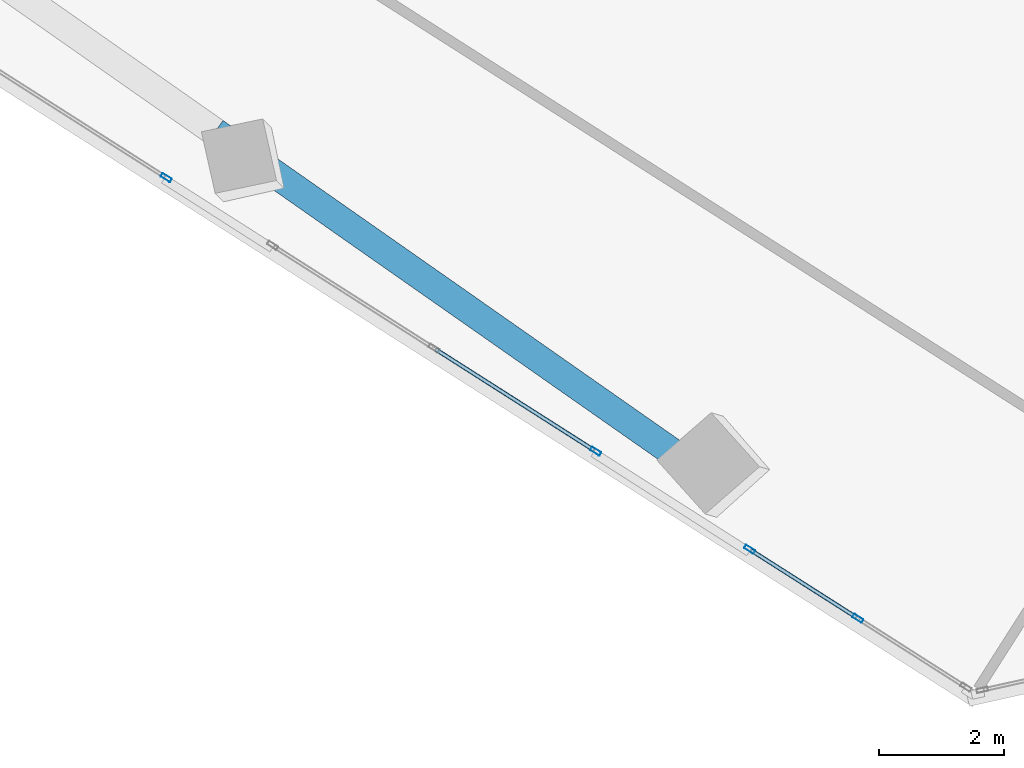
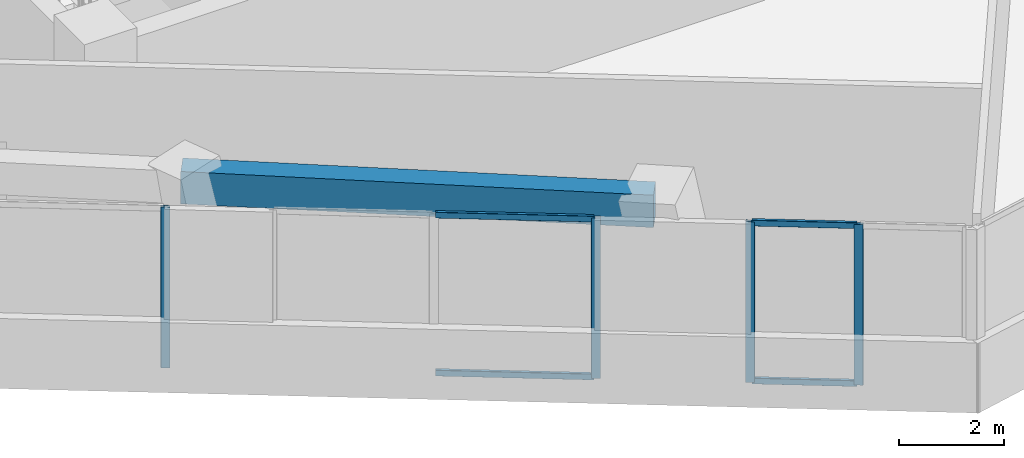
# One storey, part 3 of 24: 8 members, 1 beam, 3 elements without a shape of their own.
"""IFC4 building model written with IfcOpenShell, lengths in metres."""

import ifcopenshell
import ifcopenshell.guid

model = None  # the IFC model being written
_history = None  # IfcOwnerHistory: only IFC2X3 demands one
_inside = {}  # id of a spatial element -> (the spatial element, [elements in it])
_under = {}  # id of a project, library or spatial element -> (it, [spatial elements below it])
_declared = {}  # id of a project -> (the project, [libraries it declares])
_typed = {}  # id of a type object -> (the type object, [elements of that type])
_made_of = {}  # id of a material, layer set ... -> (it, [elements and type objects made of it])


def new_model(schema):
    """Start an empty IFC model of exactly this schema.

    Asked for "IFC4X3", IfcOpenShell would pick the latest addendum, in which some entities
    have other attributes; the version numbers below select the first issue.
    IFC2X3 requires an IfcOwnerHistory on every rooted entity: one is made here for all.
    """
    global model, _history
    if schema == "IFC4X3":
        model = ifcopenshell.file(schema_version=(4, 3, 0, 0))
    else:
        model = ifcopenshell.file(schema=schema)
    _inside.clear()
    _under.clear()
    _declared.clear()
    _typed.clear()
    _made_of.clear()
    _history = None
    if model.schema == "IFC2X3":
        org = make("IfcOrganization", Name="unknown")
        user = make(
            "IfcPersonAndOrganization",
            ThePerson=make("IfcPerson", FamilyName="unknown"),
            TheOrganization=org,
        )
        app = make(
            "IfcApplication",
            ApplicationDeveloper=org,
            Version="unknown",
            ApplicationFullName="unknown",
            ApplicationIdentifier="unknown",
        )
        _history = make(
            "IfcOwnerHistory",
            OwningUser=user,
            OwningApplication=app,
            ChangeAction="ADDED",
            CreationDate=0,
        )
    return model


def make(cls, **values):
    """One entity of the class cls with the attributes given. An attribute that is None is left unset."""
    return model.create_entity(
        cls, **{name: value for name, value in values.items() if value is not None}
    )


def rooted(cls, **values):
    """An entity with a GlobalId (a new one), such as an element, a storey or a relation."""
    return make(cls, GlobalId=ifcopenshell.guid.new(), OwnerHistory=_history, **values)


def si_unit(unit_type, name, prefix=None):
    """IfcSIUnit, for example si_unit("LENGTHUNIT", "METRE", prefix="MILLI")."""
    return make("IfcSIUnit", UnitType=unit_type, Prefix=prefix, Name=name)


def assignment(units):
    """IfcUnitAssignment: the units of a project."""
    return None if units is None else make("IfcUnitAssignment", Units=units)


def point(xyz):
    """IfcCartesianPoint."""
    return None if xyz is None else make("IfcCartesianPoint", Coordinates=xyz)


def direction(xyz):
    """IfcDirection."""
    return None if xyz is None else make("IfcDirection", DirectionRatios=xyz)


def frame(location, z_axis=None, x_axis=None):
    """IfcAxis2Placement3D, a coordinate frame: its origin and axes. An axis left out is left unset."""
    return make(
        "IfcAxis2Placement3D",
        Location=point(location),
        Axis=direction(z_axis),
        RefDirection=direction(x_axis),
    )


def frame_2d(location, x_axis=None):
    """IfcAxis2Placement2D, a coordinate frame in the plane: its origin and x axis."""
    return make(
        "IfcAxis2Placement2D", Location=point(location), RefDirection=direction(x_axis)
    )


def origin():
    """The frame at (0, 0, 0) with its axes left unset."""
    return frame((0.0, 0.0, 0.0))


def origin_2d():
    """The frame at (0, 0) in the plane with its x axis left unset."""
    return frame_2d((0.0, 0.0))


def place(relative_to, where):
    """IfcLocalPlacement: puts the frame where relative to a parent placement (None: the world)."""
    return make(
        "IfcLocalPlacement", PlacementRelTo=relative_to, RelativePlacement=where
    )


def context(
    kind, dimensions, precision=None, world=None, true_north=None, identifier=None
):
    """IfcGeometricRepresentationContext, for example the 3D "Model" context."""
    return make(
        "IfcGeometricRepresentationContext",
        ContextIdentifier=identifier,
        ContextType=kind,
        CoordinateSpaceDimension=dimensions,
        Precision=precision,
        WorldCoordinateSystem=world,
        TrueNorth=true_north,
    )


def subcontext(parent, identifier, kind, view, scale=None):
    """IfcGeometricRepresentationSubContext, for example "Body" below "Model"."""
    return make(
        "IfcGeometricRepresentationSubContext",
        ContextIdentifier=identifier,
        ContextType=kind,
        ParentContext=parent,
        TargetScale=scale,
        TargetView=view,
    )


def project(units=None, contexts=None):
    """IfcProject with its units and contexts."""
    return rooted(
        "IfcProject",
        Name="project",
        RepresentationContexts=contexts,
        UnitsInContext=assignment(units),
    )


def spatial(cls, under=None, at=None, **own):
    """A site, building, storey or space (cls), placed at a placement, below another one or the project."""
    s = rooted(cls, ObjectPlacement=at, **own)
    if under is not None:
        _under.setdefault(under.id(), (under, []))[1].append(s)
    return s


def profile(cls, at=None, kind="AREA", **sizes):
    """A parametric profile (cls). Its sizes go by their IFC names, for example OverallWidth=200.0."""
    return make(cls, ProfileType=kind, Position=at, **sizes)


def rectangle(**sizes):
    """IfcRectangleProfileDef."""
    return profile("IfcRectangleProfileDef", **sizes)


def hollow_rectangle(**sizes):
    """IfcRectangleHollowProfileDef."""
    return profile("IfcRectangleHollowProfileDef", **sizes)


def extrude(swept, where, along, depth):
    """IfcExtrudedAreaSolid: the profile swept, set in the frame where, extruded along a direction by depth."""
    return make(
        "IfcExtrudedAreaSolid",
        SweptArea=swept,
        Position=where,
        ExtrudedDirection=direction(along),
        Depth=depth,
    )


def shape(context_of_items, identifier, shape_type, items):
    """IfcShapeRepresentation: the items that make up one representation, for example the "Body"."""
    return make(
        "IfcShapeRepresentation",
        ContextOfItems=context_of_items,
        RepresentationIdentifier=identifier,
        RepresentationType=shape_type,
        Items=items,
    )


def source(mapping_origin, context_of_items, identifier, shape_type, items):
    """IfcRepresentationMap: a shape defined once, which mapped items show again and again."""
    return make(
        "IfcRepresentationMap",
        MappingOrigin=mapping_origin,
        MappedRepresentation=shape(context_of_items, identifier, shape_type, items),
    )


def transform(
    local_origin,
    x_axis=None,
    y_axis=None,
    z_axis=None,
    scale=None,
    scale2=None,
    scale3=None,
    uniform=True,
):
    """IfcCartesianTransformationOperator3D, or its non-uniform kind. x_axis, y_axis, z_axis: its Axis1, 2, 3."""
    if uniform:
        return make(
            "IfcCartesianTransformationOperator3D",
            Axis1=direction(x_axis),
            Axis2=direction(y_axis),
            LocalOrigin=point(local_origin),
            Scale=scale,
            Axis3=direction(z_axis),
        )
    return make(
        "IfcCartesianTransformationOperator3DnonUniform",
        Axis1=direction(x_axis),
        Axis2=direction(y_axis),
        LocalOrigin=point(local_origin),
        Scale=scale,
        Axis3=direction(z_axis),
        Scale2=scale2,
        Scale3=scale3,
    )


def mapped(mapping_source, mapping_target):
    """IfcMappedItem: shows the shape of a source again, moved by a transform."""
    return make(
        "IfcMappedItem", MappingSource=mapping_source, MappingTarget=mapping_target
    )


def material(Name=None, Category=None):
    """IfcMaterial."""
    return make("IfcMaterial", Name=Name, Category=Category)


def material_profile(
    of_material, cross_section, Name=None, Category=None, Priority=None
):
    """IfcMaterialProfile: a cross section and its material."""
    return make(
        "IfcMaterialProfile",
        Name=Name,
        Material=of_material,
        Profile=cross_section,
        Priority=Priority,
        Category=Category,
    )


def profile_set(profiles, Name=None, composite=None):
    """IfcMaterialProfileSet."""
    return make(
        "IfcMaterialProfileSet",
        Name=Name,
        MaterialProfiles=profiles,
        CompositeProfile=composite,
    )


def made_of(thing, what):
    """Note that an element or type object is made of a material, layer set ...; save() writes the relation."""
    if what is not None:
        _made_of.setdefault(what.id(), (what, []))[1].append(thing)
    return thing


def type_object(cls, material=None, **own):
    """A type object (cls), such as IfcWallType, which elements share."""
    return made_of(rooted(cls, **own), material)


def element(
    cls,
    number,
    at=None,
    inside=None,
    cuts=None,
    type_object=None,
    material=None,
    context=None,
    identifier="Body",
    shape_type=None,
    held_by="IfcProductDefinitionShape",
    body=None,
    shapes=None,
    **own,
):
    """One element of the class cls, such as IfcWall. Its Tag is "e" and its number.

    at: its placement. inside: the storey or other place that contains it. cuts: it is an
    opening in that element (IfcRelVoidsElement). A single representation is given by context,
    identifier, shape_type and body (its items); several are given by shapes. held_by: the class
    of the entity that holds the representations. save() writes the other relations.
    """
    e = rooted(cls, Tag="e%d" % number, ObjectPlacement=at, **own)
    if body is not None:
        shapes = [shape(context, identifier, shape_type, body)]
    if shapes is not None:
        e.Representation = make(held_by, Representations=shapes)
    if inside is not None:
        _inside.setdefault(inside.id(), (inside, []))[1].append(e)
    if cuts is not None:
        rooted(
            "IfcRelVoidsElement", RelatingBuildingElement=cuts, RelatedOpeningElement=e
        )
    if type_object is not None:
        _typed.setdefault(type_object.id(), (type_object, []))[1].append(e)
    return made_of(e, material)


def aggregate(whole, parts):
    """IfcRelAggregates: a whole, such as a stair, and the parts it consists of."""
    return rooted("IfcRelAggregates", RelatingObject=whole, RelatedObjects=parts)


def save(model, path):
    """Write the relations noted so far, then the file.

    IfcRelAggregates (storeys below a building ...), IfcRelContainedInSpatialStructure (elements
    in a storey), IfcRelDefinesByType, IfcRelAssociatesMaterial and IfcRelDeclares: one each for
    every whole, place, type object, material and project.
    """
    for whole, parts in _under.values():
        aggregate(whole, parts)
    for where, things in _inside.values():
        rooted(
            "IfcRelContainedInSpatialStructure",
            RelatedElements=things,
            RelatingStructure=where,
        )
    for kind, things in _typed.values():
        rooted("IfcRelDefinesByType", RelatedObjects=things, RelatingType=kind)
    for what, things in _made_of.values():
        rooted("IfcRelAssociatesMaterial", RelatedObjects=things, RelatingMaterial=what)
    for by, libraries in _declared.values():
        rooted("IfcRelDeclares", RelatingContext=by, RelatedDefinitions=libraries)
    model.write(path)


model = new_model("IFC4")

# Units and contexts
model_context = context("Model", 3, precision=1e-05, world=origin(), true_north=direction((0.0, 1.0)))
body_context = subcontext(model_context, "Body", "Model", "MODEL_VIEW")
ifc_project = project(units=[si_unit("LENGTHUNIT", "METRE"), si_unit("AREAUNIT", "SQUARE_METRE"), si_unit("VOLUMEUNIT", "CUBIC_METRE"), si_unit("PLANEANGLEUNIT", "RADIAN"), si_unit("MASSUNIT", "GRAM", prefix="KILO")], contexts=[model_context])

# Site, building, storey
site_placement = place(None, origin())
site = spatial("IfcSite", under=ifc_project, at=site_placement, CompositionType="ELEMENT")
building_placement = place(site_placement, origin())
building = spatial("IfcBuilding", under=site, at=building_placement, Name="Torre Montelarca", CompositionType="ELEMENT")
storey_placement = place(building_placement, frame((0.0, 0.0, 191.800048828125)))
storey = spatial("IfcBuildingStorey", under=building, at=storey_placement, Name="L43", CompositionType="ELEMENT", Elevation=191.800048828125)

# Beam
ifc_material_1 = material(Name="Concrete C55/67", Category="concrete")
ifc_material_profile_1 = material_profile(ifc_material_1, rectangle(XDim=0.449951171875, YDim=0.75, at=origin_2d()), Name="RCB450X750", Category="concrete")
ifc_profile_set_1 = profile_set([ifc_material_profile_1], Name="Concrete C55/67")
beam_type = type_object("IfcBeamType", Name="BM-SP-RC750-EXT", PredefinedType="SPANDREL", material=ifc_profile_set_1)
shared_shape_1 = source(origin(), body_context, "Body", "SweptSolid", [
    extrude(rectangle(XDim=0.449951171875, YDim=0.75, at=origin_2d()), origin(), (0.0, 0.0, 1.0), 9.0),
])
beam_placement = place(storey_placement, frame((8.767578125, 19.918212890625, 3.5849609375), z_axis=(0.819141427692, -0.573591598124, 0.0), x_axis=(0.573591598124, 0.819141427692, 0.0)))
element("IfcBeam", 1, at=beam_placement, inside=storey, type_object=beam_type, Name="L43 Grid Girder X 18.0-27.0 at Y=14.8", PredefinedType="SPANDREL", context=body_context, shape_type="MappedRepresentation", body=[
    mapped(shared_shape_1, transform((0.0, 0.0, 0.0), scale=1.0)),
])

# Curtain wall, member
ifc_material_2 = material(Name="Insulated low-E laminated glass", Category="glass")
curtain_wall_type = type_object("IfcCurtainWallType", Name="CW-SYS-Z2", PredefinedType="USERDEFINED", material=ifc_material_2)
curtain_wall_1_placement = place(storey_placement, origin())
curtain_wall_1 = element("IfcCurtainWall", 2, at=curtain_wall_1_placement, inside=storey, type_object=curtain_wall_type, Name="L43 Curtain Wall Run CW-T3-L43-E01-B1", ObjectType="UNITISED GLAZING", PredefinedType="USERDEFINED")
ifc_material_3 = material(Name="Anodised aluminium AA 6063-T6", Category="aluminium")
ifc_material_profile_2 = material_profile(ifc_material_3, hollow_rectangle(XDim=0.06494140625, YDim=0.179931640625, WallThickness=0.00390625, InnerFilletRadius=0.00390625, OuterFilletRadius=0.008056640625, at=origin_2d()), Name="ALU65X180X4", Category="aluminium")
ifc_profile_set_2 = profile_set([ifc_material_profile_2], Name="Anodised aluminium AA 6063-T6")
member_type_1 = type_object("IfcMemberType", Name="CWM-ALU180", PredefinedType="MULLION", material=ifc_profile_set_2)
shared_shape_2 = source(origin(), body_context, "Body", "SweptSolid", [
    extrude(hollow_rectangle(XDim=0.06494140625, YDim=0.179931640625, WallThickness=0.00390625, InnerFilletRadius=0.00390625, OuterFilletRadius=0.008056640625, at=origin_2d()), origin(), (0.0, 0.0, 1.0), 3.719970703125),
])
member_1_placement = place(storey_placement, frame((7.985107421875, 19.1845703125, 0.0), z_axis=(0.0, 0.0, 1.0), x_axis=(0.537305573022, 0.843387645866, 0.0)))
member_1 = element("IfcMember", 3, at=member_1_placement, type_object=member_type_1, Name="CW mullion 3", PredefinedType="MULLION", context=body_context, shape_type="MappedRepresentation", body=[
    mapped(shared_shape_2, transform((0.0, 0.0, 0.0), scale=1.0)),
])
aggregate(curtain_wall_1, [member_1])

curtain_wall_2_placement = place(storey_placement, origin())
curtain_wall_2 = element("IfcCurtainWall", 4, at=curtain_wall_2_placement, inside=storey, type_object=curtain_wall_type, Name="L43 Curtain Wall Run CW-T3-L43-E01-B2", ObjectType="UNITISED GLAZING", PredefinedType="USERDEFINED")
member_2_placement = place(storey_placement, frame((14.875244140625, 14.794921875, 0.0), z_axis=(0.0, 0.0, 1.0), x_axis=(0.537306830159, 0.843386844968, 0.0)))
member_2 = element("IfcMember", 5, at=member_2_placement, type_object=member_type_1, Name="CW mullion 3", PredefinedType="MULLION", context=body_context, shape_type="MappedRepresentation", body=[
    mapped(shared_shape_2, transform((0.0, 0.0, 0.0), scale=1.0)),
])

# Curtain wall, members
curtain_wall_3_placement = place(storey_placement, origin())
curtain_wall_3 = element("IfcCurtainWall", 6, at=curtain_wall_3_placement, inside=storey, type_object=curtain_wall_type, Name="L43 Curtain Wall Run CW-T3-L43-E01-B3", ObjectType="UNITISED GLAZING", PredefinedType="USERDEFINED")
member_3_placement = place(storey_placement, frame((17.346923828125, 13.220458984375, 0.0), z_axis=(0.0, 0.0, 1.0), x_axis=(0.537302748861, 0.843389445077, 0.0)))
member_3 = element("IfcMember", 7, at=member_3_placement, type_object=member_type_1, Name="CW mullion 1", PredefinedType="MULLION", context=body_context, shape_type="MappedRepresentation", body=[
    mapped(shared_shape_2, transform((0.0, 0.0, 0.0), scale=1.0)),
])
member_4_placement = place(storey_placement, frame((19.081787109375, 12.115234375, 0.0), z_axis=(0.0, 0.0, 1.0), x_axis=(0.537302748861, 0.843389445077, 0.0)))
member_4 = element("IfcMember", 8, at=member_4_placement, type_object=member_type_1, Name="CW mullion 2", PredefinedType="MULLION", context=body_context, shape_type="MappedRepresentation", body=[
    mapped(shared_shape_2, transform((0.0, 0.0, 0.0), scale=1.0)),
])
ifc_material_profile_3 = material_profile(ifc_material_3, hollow_rectangle(XDim=0.06494140625, YDim=0.139892578125, WallThickness=0.00390625, InnerFilletRadius=0.00390625, OuterFilletRadius=0.008056640625, at=origin_2d()), Name="ALU65X140X4", Category="aluminium")
ifc_profile_set_3 = profile_set([ifc_material_profile_3], Name="Anodised aluminium AA 6063-T6")
member_type_2 = type_object("IfcMemberType", Name="CWT-ALU140", PredefinedType="USERDEFINED", material=ifc_profile_set_3)
shared_shape_3 = source(origin(), body_context, "Body", "SweptSolid", [
    extrude(hollow_rectangle(XDim=0.06494140625, YDim=0.139892578125, WallThickness=0.00390625, InnerFilletRadius=0.00390625, OuterFilletRadius=0.008056640625, at=origin_2d()), origin(), (0.0, 0.0, 1.0), 1.9921875),
])
member_5_placement = place(storey_placement, frame((17.374267578125, 13.202880859375, 0.032470703125), z_axis=(0.843409079761, -0.53727192759, 0.0), x_axis=(0.53727192759, 0.843409079761, 0.0)))
member_5 = element("IfcMember", 9, at=member_5_placement, type_object=member_type_2, Name="CW transom 1.1", ObjectType="TRANSOM", PredefinedType="USERDEFINED", context=body_context, shape_type="MappedRepresentation", body=[
    mapped(shared_shape_3, transform((0.0, 0.0, 0.0), scale=1.0)),
])
member_6_placement = place(storey_placement, frame((17.374267578125, 13.202880859375, 3.6875), z_axis=(0.843409079761, -0.53727192759, 0.0), x_axis=(0.53727192759, 0.843409079761, 0.0)))
member_6 = element("IfcMember", 10, at=member_6_placement, type_object=member_type_2, Name="CW transom 1.2", ObjectType="TRANSOM", PredefinedType="USERDEFINED", context=body_context, shape_type="MappedRepresentation", body=[
    mapped(shared_shape_3, transform((0.0, 0.0, 0.0), scale=1.0)),
])
aggregate(curtain_wall_3, [member_3, member_4, member_5, member_6])

# Member
shared_shape_4 = source(origin(), body_context, "Body", "SweptSolid", [
    extrude(hollow_rectangle(XDim=0.06494140625, YDim=0.139892578125, WallThickness=0.00390625, InnerFilletRadius=0.00390625, OuterFilletRadius=0.008056640625, at=origin_2d()), origin(), (0.0, 0.0, 1.0), 3.00732421875),
])
member_7_placement = place(storey_placement, frame((12.3115234375, 16.42822265625, 0.032470703125), z_axis=(0.843410683388, -0.537269410209, 0.0), x_axis=(0.537269410209, 0.843410683388, 0.0)))
member_7 = element("IfcMember", 11, at=member_7_placement, type_object=member_type_2, Name="CW transom 2.1", ObjectType="TRANSOM", PredefinedType="USERDEFINED", context=body_context, shape_type="MappedRepresentation", body=[
    mapped(shared_shape_4, transform((0.0, 0.0, 0.0), scale=1.0)),
])

member_8_placement = place(storey_placement, frame((12.3115234375, 16.42822265625, 3.6875), z_axis=(0.843410683388, -0.537269410209, 0.0), x_axis=(0.537269410209, 0.843410683388, 0.0)))
member_8 = element("IfcMember", 12, at=member_8_placement, type_object=member_type_2, Name="CW transom 2.2", ObjectType="TRANSOM", PredefinedType="USERDEFINED", context=body_context, shape_type="MappedRepresentation", body=[
    mapped(shared_shape_4, transform((0.0, 0.0, 0.0), scale=1.0)),
])

aggregate(curtain_wall_2, [member_2, member_7, member_8])

save(model, "model.ifc")
